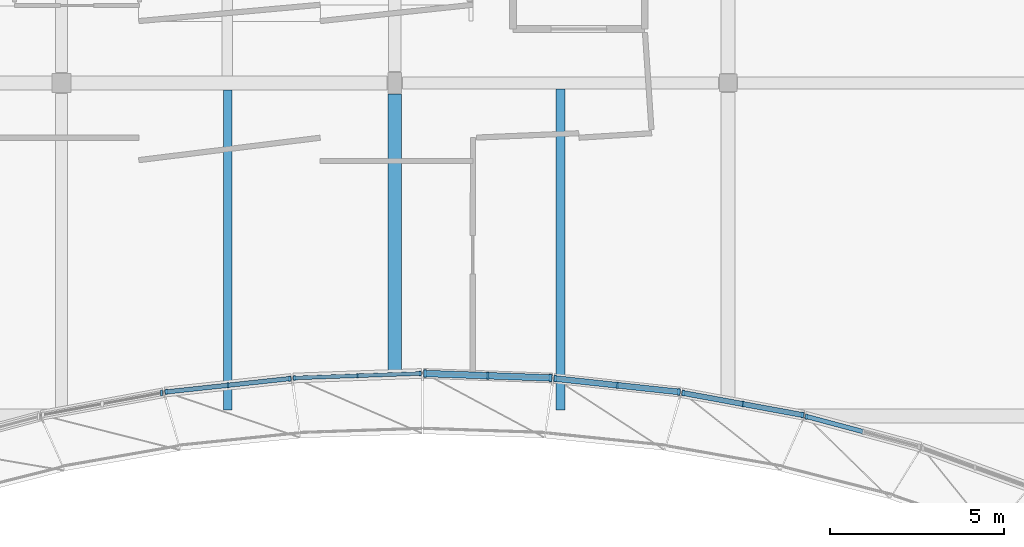
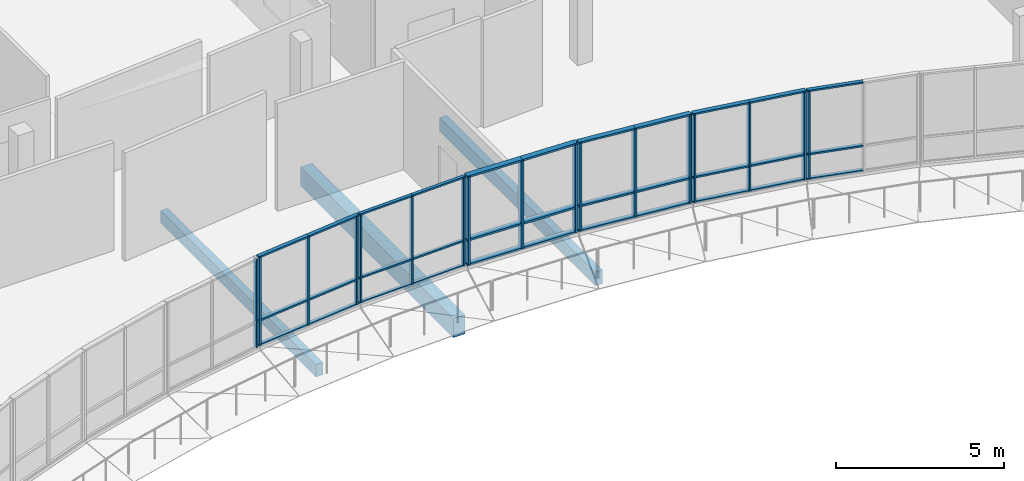
# One storey, part 23 of 84: 50 members, 3 beams, 7 elements without a shape of their own.
"""IFC4 building model written with IfcOpenShell, lengths in metres."""

import ifcopenshell
import ifcopenshell.guid

model = None  # the IFC model being written
_history = None  # IfcOwnerHistory: only IFC2X3 demands one
_inside = {}  # id of a spatial element -> (the spatial element, [elements in it])
_under = {}  # id of a project, library or spatial element -> (it, [spatial elements below it])
_declared = {}  # id of a project -> (the project, [libraries it declares])
_typed = {}  # id of a type object -> (the type object, [elements of that type])
_made_of = {}  # id of a material, layer set ... -> (it, [elements and type objects made of it])


def new_model(schema):
    """Start an empty IFC model of exactly this schema.

    Asked for "IFC4X3", IfcOpenShell would pick the latest addendum, in which some entities
    have other attributes; the version numbers below select the first issue.
    IFC2X3 requires an IfcOwnerHistory on every rooted entity: one is made here for all.
    """
    global model, _history
    if schema == "IFC4X3":
        model = ifcopenshell.file(schema_version=(4, 3, 0, 0))
    else:
        model = ifcopenshell.file(schema=schema)
    _inside.clear()
    _under.clear()
    _declared.clear()
    _typed.clear()
    _made_of.clear()
    _history = None
    if model.schema == "IFC2X3":
        org = make("IfcOrganization", Name="unknown")
        user = make(
            "IfcPersonAndOrganization",
            ThePerson=make("IfcPerson", FamilyName="unknown"),
            TheOrganization=org,
        )
        app = make(
            "IfcApplication",
            ApplicationDeveloper=org,
            Version="unknown",
            ApplicationFullName="unknown",
            ApplicationIdentifier="unknown",
        )
        _history = make(
            "IfcOwnerHistory",
            OwningUser=user,
            OwningApplication=app,
            ChangeAction="ADDED",
            CreationDate=0,
        )
    return model


def make(cls, **values):
    """One entity of the class cls with the attributes given. An attribute that is None is left unset."""
    return model.create_entity(
        cls, **{name: value for name, value in values.items() if value is not None}
    )


def rooted(cls, **values):
    """An entity with a GlobalId (a new one), such as an element, a storey or a relation."""
    return make(cls, GlobalId=ifcopenshell.guid.new(), OwnerHistory=_history, **values)


def si_unit(unit_type, name, prefix=None):
    """IfcSIUnit, for example si_unit("LENGTHUNIT", "METRE", prefix="MILLI")."""
    return make("IfcSIUnit", UnitType=unit_type, Prefix=prefix, Name=name)


def assignment(units):
    """IfcUnitAssignment: the units of a project."""
    return None if units is None else make("IfcUnitAssignment", Units=units)


def point(xyz):
    """IfcCartesianPoint."""
    return None if xyz is None else make("IfcCartesianPoint", Coordinates=xyz)


def direction(xyz):
    """IfcDirection."""
    return None if xyz is None else make("IfcDirection", DirectionRatios=xyz)


def frame(location, z_axis=None, x_axis=None):
    """IfcAxis2Placement3D, a coordinate frame: its origin and axes. An axis left out is left unset."""
    return make(
        "IfcAxis2Placement3D",
        Location=point(location),
        Axis=direction(z_axis),
        RefDirection=direction(x_axis),
    )


def frame_2d(location, x_axis=None):
    """IfcAxis2Placement2D, a coordinate frame in the plane: its origin and x axis."""
    return make(
        "IfcAxis2Placement2D", Location=point(location), RefDirection=direction(x_axis)
    )


def origin():
    """The frame at (0, 0, 0) with its axes left unset."""
    return frame((0.0, 0.0, 0.0))


def origin_2d():
    """The frame at (0, 0) in the plane with its x axis left unset."""
    return frame_2d((0.0, 0.0))


def place(relative_to, where):
    """IfcLocalPlacement: puts the frame where relative to a parent placement (None: the world)."""
    return make(
        "IfcLocalPlacement", PlacementRelTo=relative_to, RelativePlacement=where
    )


def context(
    kind, dimensions, precision=None, world=None, true_north=None, identifier=None
):
    """IfcGeometricRepresentationContext, for example the 3D "Model" context."""
    return make(
        "IfcGeometricRepresentationContext",
        ContextIdentifier=identifier,
        ContextType=kind,
        CoordinateSpaceDimension=dimensions,
        Precision=precision,
        WorldCoordinateSystem=world,
        TrueNorth=true_north,
    )


def subcontext(parent, identifier, kind, view, scale=None):
    """IfcGeometricRepresentationSubContext, for example "Body" below "Model"."""
    return make(
        "IfcGeometricRepresentationSubContext",
        ContextIdentifier=identifier,
        ContextType=kind,
        ParentContext=parent,
        TargetScale=scale,
        TargetView=view,
    )


def project(units=None, contexts=None):
    """IfcProject with its units and contexts."""
    return rooted(
        "IfcProject",
        Name="project",
        RepresentationContexts=contexts,
        UnitsInContext=assignment(units),
    )


def spatial(cls, under=None, at=None, **own):
    """A site, building, storey or space (cls), placed at a placement, below another one or the project."""
    s = rooted(cls, ObjectPlacement=at, **own)
    if under is not None:
        _under.setdefault(under.id(), (under, []))[1].append(s)
    return s


def profile(cls, at=None, kind="AREA", **sizes):
    """A parametric profile (cls). Its sizes go by their IFC names, for example OverallWidth=200.0."""
    return make(cls, ProfileType=kind, Position=at, **sizes)


def rectangle(**sizes):
    """IfcRectangleProfileDef."""
    return profile("IfcRectangleProfileDef", **sizes)


def extrude(swept, where, along, depth):
    """IfcExtrudedAreaSolid: the profile swept, set in the frame where, extruded along a direction by depth."""
    return make(
        "IfcExtrudedAreaSolid",
        SweptArea=swept,
        Position=where,
        ExtrudedDirection=direction(along),
        Depth=depth,
    )


def shape(context_of_items, identifier, shape_type, items):
    """IfcShapeRepresentation: the items that make up one representation, for example the "Body"."""
    return make(
        "IfcShapeRepresentation",
        ContextOfItems=context_of_items,
        RepresentationIdentifier=identifier,
        RepresentationType=shape_type,
        Items=items,
    )


def material(Name=None, Category=None):
    """IfcMaterial."""
    return make("IfcMaterial", Name=Name, Category=Category)


def material_profile(
    of_material, cross_section, Name=None, Category=None, Priority=None
):
    """IfcMaterialProfile: a cross section and its material."""
    return make(
        "IfcMaterialProfile",
        Name=Name,
        Material=of_material,
        Profile=cross_section,
        Priority=Priority,
        Category=Category,
    )


def profile_set(profiles, Name=None, composite=None):
    """IfcMaterialProfileSet."""
    return make(
        "IfcMaterialProfileSet",
        Name=Name,
        MaterialProfiles=profiles,
        CompositeProfile=composite,
    )


def made_of(thing, what):
    """Note that an element or type object is made of a material, layer set ...; save() writes the relation."""
    if what is not None:
        _made_of.setdefault(what.id(), (what, []))[1].append(thing)
    return thing


def type_object(cls, material=None, **own):
    """A type object (cls), such as IfcWallType, which elements share."""
    return made_of(rooted(cls, **own), material)


def element(
    cls,
    number,
    at=None,
    inside=None,
    cuts=None,
    type_object=None,
    material=None,
    context=None,
    identifier="Body",
    shape_type=None,
    held_by="IfcProductDefinitionShape",
    body=None,
    shapes=None,
    **own,
):
    """One element of the class cls, such as IfcWall. Its Tag is "e" and its number.

    at: its placement. inside: the storey or other place that contains it. cuts: it is an
    opening in that element (IfcRelVoidsElement). A single representation is given by context,
    identifier, shape_type and body (its items); several are given by shapes. held_by: the class
    of the entity that holds the representations. save() writes the other relations.
    """
    e = rooted(cls, Tag="e%d" % number, ObjectPlacement=at, **own)
    if body is not None:
        shapes = [shape(context, identifier, shape_type, body)]
    if shapes is not None:
        e.Representation = make(held_by, Representations=shapes)
    if inside is not None:
        _inside.setdefault(inside.id(), (inside, []))[1].append(e)
    if cuts is not None:
        rooted(
            "IfcRelVoidsElement", RelatingBuildingElement=cuts, RelatedOpeningElement=e
        )
    if type_object is not None:
        _typed.setdefault(type_object.id(), (type_object, []))[1].append(e)
    return made_of(e, material)


def aggregate(whole, parts):
    """IfcRelAggregates: a whole, such as a stair, and the parts it consists of."""
    return rooted("IfcRelAggregates", RelatingObject=whole, RelatedObjects=parts)


def save(model, path):
    """Write the relations noted so far, then the file.

    IfcRelAggregates (storeys below a building ...), IfcRelContainedInSpatialStructure (elements
    in a storey), IfcRelDefinesByType, IfcRelAssociatesMaterial and IfcRelDeclares: one each for
    every whole, place, type object, material and project.
    """
    for whole, parts in _under.values():
        aggregate(whole, parts)
    for where, things in _inside.values():
        rooted(
            "IfcRelContainedInSpatialStructure",
            RelatedElements=things,
            RelatingStructure=where,
        )
    for kind, things in _typed.values():
        rooted("IfcRelDefinesByType", RelatedObjects=things, RelatingType=kind)
    for what, things in _made_of.values():
        rooted("IfcRelAssociatesMaterial", RelatedObjects=things, RelatingMaterial=what)
    for by, libraries in _declared.values():
        rooted("IfcRelDeclares", RelatingContext=by, RelatedDefinitions=libraries)
    model.write(path)


model = new_model("IFC4")

# Units and contexts
model_context = context("Model", 3, precision=1e-05, world=origin(), true_north=direction((0.0, 1.0)))
body_context = subcontext(model_context, "Body", "Model", "MODEL_VIEW")
ifc_project = project(units=[si_unit("LENGTHUNIT", "METRE"), si_unit("AREAUNIT", "SQUARE_METRE"), si_unit("VOLUMEUNIT", "CUBIC_METRE"), si_unit("PLANEANGLEUNIT", "RADIAN"), si_unit("MASSUNIT", "GRAM", prefix="KILO")], contexts=[model_context])

# Site, building, storey
site_placement = place(None, origin())
site = spatial("IfcSite", under=ifc_project, at=site_placement, CompositionType="ELEMENT")
building_placement = place(site_placement, origin())
building = spatial("IfcBuilding", under=site, at=building_placement, Name="Mzevani Central Library", CompositionType="ELEMENT")
storey_placement = place(building_placement, frame((0.0, 0.0, 5.39990234375)))
storey = spatial("IfcBuildingStorey", under=building, at=storey_placement, Name="L01", CompositionType="ELEMENT", Elevation=5.39990234375)

# Beam
ifc_material_1 = material(Name="Concrete C35/45", Category="concrete")
ifc_material_profile_1 = material_profile(ifc_material_1, rectangle(XDim=0.39990234375, YDim=0.699951171875, at=origin_2d()), Name="RC B400x700")
ifc_profile_set_1 = profile_set([ifc_material_profile_1], Name="Concrete C35/45")
beam_type_1 = type_object("IfcBeamType", Name="Beam RC 400x700", PredefinedType="BEAM", material=ifc_profile_set_1)
beam_1_placement = place(storey_placement, frame((83.199951171875, 90.60009765625, -0.6298828125), z_axis=(0.0, 1.0, 0.0), x_axis=(-1.0, 0.0, 0.0)))
element("IfcBeam", 1, at=beam_1_placement, inside=storey, type_object=beam_type_1, Name="L01 V3 Frame Beam B-08 (507)", PredefinedType="BEAM", context=body_context, shape_type="SweptSolid", body=[
    extrude(rectangle(XDim=0.39990234375, YDim=0.699951171875, at=origin_2d()), origin(), (0.0, 0.0, 1.0), 9.074951171875),
])

# Curtain wall, members
ifc_material_2 = material(Name="Thermally broken aluminium and Low-E triple glazing", Category="aluminium")
curtain_wall_type_1 = type_object("IfcCurtainWallType", Name="Reading Hall Northlight Curtain Wall", PredefinedType="NOTDEFINED", material=ifc_material_2)
curtain_wall_1_placement = place(storey_placement, origin())
curtain_wall_1 = element("IfcCurtainWall", 2, at=curtain_wall_1_placement, inside=storey, type_object=curtain_wall_type_1, Name="L01 Elliptical Court Curtain Wall 13", PredefinedType="NOTDEFINED")
ifc_material_3 = material(Name="Thermally broken aluminium AW-6060", Category="aluminium")
ifc_material_profile_2 = material_profile(ifc_material_3, rectangle(XDim=0.06005859375, YDim=0.139892578125, at=origin_2d()), Name="ALU M60x140")
ifc_profile_set_2 = profile_set([ifc_material_profile_2], Name="Thermally broken aluminium AW-6060")
member_type_1 = type_object("IfcMemberType", Name="CW Mullion 60x140", PredefinedType="MULLION", material=ifc_profile_set_2)
member_1_placement = place(storey_placement, frame((83.923583984375, 91.62890625, 0.72021484375), z_axis=(0.0, 0.0, 1.0), x_axis=(1.0, 0.0, 0.0)))
member_1 = element("IfcMember", 3, at=member_1_placement, type_object=member_type_1, Name="L01 Elliptical Court Curtain Wall 13 Mullion 1", PredefinedType="MULLION", context=body_context, shape_type="SweptSolid", body=[
    extrude(rectangle(XDim=0.06005859375, YDim=0.139892578125, at=origin_2d()), origin(), (0.0, 0.0, 1.0), 3.199951171875),
])
member_2_placement = place(storey_placement, frame((82.1201171875, 91.564697265625, 0.72021484375), z_axis=(0.0, 0.0, 1.0), x_axis=(1.0, 0.0, 0.0)))
member_2 = element("IfcMember", 4, at=member_2_placement, type_object=member_type_1, Name="L01 Elliptical Court Curtain Wall 13 Mullion 2", PredefinedType="MULLION", context=body_context, shape_type="SweptSolid", body=[
    extrude(rectangle(XDim=0.06005859375, YDim=0.139892578125, at=origin_2d()), origin(), (0.0, 0.0, 1.0), 3.199951171875),
])
member_3_placement = place(storey_placement, frame((80.316650390625, 91.500732421875, 0.72021484375), z_axis=(0.0, 0.0, 1.0), x_axis=(1.0, 0.0, 0.0)))
member_3 = element("IfcMember", 5, at=member_3_placement, type_object=member_type_1, Name="L01 Elliptical Court Curtain Wall 13 Mullion 3", PredefinedType="MULLION", context=body_context, shape_type="SweptSolid", body=[
    extrude(rectangle(XDim=0.06005859375, YDim=0.139892578125, at=origin_2d()), origin(), (0.0, 0.0, 1.0), 3.199951171875),
])

# Curtain wall, member
curtain_wall_type_2 = type_object("IfcCurtainWallType", Name="Elliptical Court Unitised Curtain Wall", PredefinedType="NOTDEFINED", material=ifc_material_2)
curtain_wall_2_placement = place(storey_placement, origin())
curtain_wall_2 = element("IfcCurtainWall", 6, at=curtain_wall_2_placement, inside=storey, type_object=curtain_wall_type_2, Name="L01 Elliptical Court Curtain Wall 9", PredefinedType="NOTDEFINED")
ifc_material_profile_3 = material_profile(ifc_material_3, rectangle(XDim=0.06005859375, YDim=0.159912109375, at=origin_2d()), Name="ALU M60x160")
ifc_profile_set_3 = profile_set([ifc_material_profile_3], Name="Thermally broken aluminium AW-6060")
member_type_2 = type_object("IfcMemberType", Name="CW Mullion 60x160", PredefinedType="MULLION", material=ifc_profile_set_3)
member_4_placement = place(storey_placement, frame((95.064453125, 90.388916015625, 0.72021484375), z_axis=(0.0, 0.0, 1.0), x_axis=(1.0, 0.0, 0.0)))
member_4 = element("IfcMember", 7, at=member_4_placement, type_object=member_type_2, Name="L01 Elliptical Court Curtain Wall 9 Mullion 3", PredefinedType="MULLION", context=body_context, shape_type="SweptSolid", body=[
    extrude(rectangle(XDim=0.06005859375, YDim=0.159912109375, at=origin_2d()), origin(), (0.0, 0.0, 1.0), 3.199951171875),
])

# Curtain wall, members
curtain_wall_3_placement = place(storey_placement, origin())
curtain_wall_3 = element("IfcCurtainWall", 8, at=curtain_wall_3_placement, inside=storey, type_object=curtain_wall_type_2, Name="L01 Elliptical Court Curtain Wall 14", PredefinedType="NOTDEFINED")
member_5_placement = place(storey_placement, frame((80.16748046875, 91.481689453125, 0.72021484375), z_axis=(0.0, 0.0, 1.0), x_axis=(1.0, 0.0, 0.0)))
member_5 = element("IfcMember", 9, at=member_5_placement, type_object=member_type_2, Name="L01 Elliptical Court Curtain Wall 14 Mullion 1", PredefinedType="MULLION", context=body_context, shape_type="SweptSolid", body=[
    extrude(rectangle(XDim=0.06005859375, YDim=0.159912109375, at=origin_2d()), origin(), (0.0, 0.0, 1.0), 3.199951171875),
])
member_6_placement = place(storey_placement, frame((78.3955078125, 91.290283203125, 0.72021484375), z_axis=(0.0, 0.0, 1.0), x_axis=(1.0, 0.0, 0.0)))
member_6 = element("IfcMember", 10, at=member_6_placement, type_object=member_type_2, Name="L01 Elliptical Court Curtain Wall 14 Mullion 2", PredefinedType="MULLION", context=body_context, shape_type="SweptSolid", body=[
    extrude(rectangle(XDim=0.06005859375, YDim=0.159912109375, at=origin_2d()), origin(), (0.0, 0.0, 1.0), 3.199951171875),
])
member_7_placement = place(storey_placement, frame((76.62353515625, 91.09912109375, 0.72021484375), z_axis=(0.0, 0.0, 1.0), x_axis=(1.0, 0.0, 0.0)))
member_7 = element("IfcMember", 11, at=member_7_placement, type_object=member_type_2, Name="L01 Elliptical Court Curtain Wall 14 Mullion 3", PredefinedType="MULLION", context=body_context, shape_type="SweptSolid", body=[
    extrude(rectangle(XDim=0.06005859375, YDim=0.159912109375, at=origin_2d()), origin(), (0.0, 0.0, 1.0), 3.199951171875),
])

curtain_wall_4_placement = place(storey_placement, origin())
curtain_wall_4 = element("IfcCurtainWall", 12, at=curtain_wall_4_placement, inside=storey, type_object=curtain_wall_type_1, Name="L01 Elliptical Court Curtain Wall 10", PredefinedType="NOTDEFINED")
ifc_material_profile_4 = material_profile(ifc_material_3, rectangle(XDim=0.06005859375, YDim=0.179931640625, at=origin_2d()), Name="ALU M60x180")
ifc_profile_set_4 = profile_set([ifc_material_profile_4], Name="Thermally broken aluminium AW-6060")
member_type_3 = type_object("IfcMemberType", Name="CW Mullion 60x180", PredefinedType="MULLION", material=ifc_profile_set_4)
member_8_placement = place(storey_placement, frame((94.935791015625, 90.4345703125, 0.72021484375), z_axis=(0.0, 0.0, 1.0), x_axis=(1.0, 0.0, 0.0)))
member_8 = element("IfcMember", 13, at=member_8_placement, type_object=member_type_3, Name="L01 Elliptical Court Curtain Wall 10 Mullion 1", PredefinedType="MULLION", context=body_context, shape_type="SweptSolid", body=[
    extrude(rectangle(XDim=0.06005859375, YDim=0.179931640625, at=origin_2d()), origin(), (0.0, 0.0, 1.0), 3.199951171875),
])
member_9_placement = place(storey_placement, frame((93.22607421875, 90.749755859375, 0.72021484375), z_axis=(0.0, 0.0, 1.0), x_axis=(1.0, 0.0, 0.0)))
member_9 = element("IfcMember", 14, at=member_9_placement, type_object=member_type_3, Name="L01 Elliptical Court Curtain Wall 10 Mullion 2", PredefinedType="MULLION", context=body_context, shape_type="SweptSolid", body=[
    extrude(rectangle(XDim=0.06005859375, YDim=0.179931640625, at=origin_2d()), origin(), (0.0, 0.0, 1.0), 3.199951171875),
])
member_10_placement = place(storey_placement, frame((91.516357421875, 91.064697265625, 0.72021484375), z_axis=(0.0, 0.0, 1.0), x_axis=(1.0, 0.0, 0.0)))
member_10 = element("IfcMember", 15, at=member_10_placement, type_object=member_type_3, Name="L01 Elliptical Court Curtain Wall 10 Mullion 3", PredefinedType="MULLION", context=body_context, shape_type="SweptSolid", body=[
    extrude(rectangle(XDim=0.06005859375, YDim=0.179931640625, at=origin_2d()), origin(), (0.0, 0.0, 1.0), 3.199951171875),
])

# Curtain wall, member
curtain_wall_5_placement = place(storey_placement, origin())
curtain_wall_5 = element("IfcCurtainWall", 16, at=curtain_wall_5_placement, inside=storey, type_object=curtain_wall_type_2, Name="L01 Elliptical Court Curtain Wall 15", PredefinedType="NOTDEFINED")
member_11_placement = place(storey_placement, frame((76.483642578125, 91.064697265625, 0.72021484375), z_axis=(0.0, 0.0, 1.0), x_axis=(1.0, 0.0, 0.0)))
member_11 = element("IfcMember", 17, at=member_11_placement, type_object=member_type_3, Name="L01 Elliptical Court Curtain Wall 15 Mullion 1", PredefinedType="MULLION", context=body_context, shape_type="SweptSolid", body=[
    extrude(rectangle(XDim=0.06005859375, YDim=0.179931640625, at=origin_2d()), origin(), (0.0, 0.0, 1.0), 3.199951171875),
])
aggregate(curtain_wall_5, [member_11])

# Curtain wall, members
curtain_wall_6_placement = place(storey_placement, origin())
curtain_wall_6 = element("IfcCurtainWall", 18, at=curtain_wall_6_placement, inside=storey, type_object=curtain_wall_type_2, Name="L01 Elliptical Court Curtain Wall 11", PredefinedType="NOTDEFINED")
ifc_material_profile_5 = material_profile(ifc_material_3, rectangle(XDim=0.06494140625, YDim=0.199951171875, at=origin_2d()), Name="ALU M65x200")
ifc_profile_set_5 = profile_set([ifc_material_profile_5], Name="Thermally broken aluminium AW-6060")
member_type_4 = type_object("IfcMemberType", Name="CW Mullion 65x200", PredefinedType="MULLION", material=ifc_profile_set_5)
member_12_placement = place(storey_placement, frame((91.37646484375, 91.09912109375, 0.72021484375), z_axis=(0.0, 0.0, 1.0), x_axis=(1.0, 0.0, 0.0)))
member_12 = element("IfcMember", 19, at=member_12_placement, type_object=member_type_4, Name="L01 Elliptical Court Curtain Wall 11 Mullion 1", PredefinedType="MULLION", context=body_context, shape_type="SweptSolid", body=[
    extrude(rectangle(XDim=0.06494140625, YDim=0.199951171875, at=origin_2d()), origin(), (0.0, 0.0, 1.0), 3.199951171875),
])
member_13_placement = place(storey_placement, frame((89.6044921875, 91.290283203125, 0.72021484375), z_axis=(0.0, 0.0, 1.0), x_axis=(1.0, 0.0, 0.0)))
member_13 = element("IfcMember", 20, at=member_13_placement, type_object=member_type_4, Name="L01 Elliptical Court Curtain Wall 11 Mullion 2", PredefinedType="MULLION", context=body_context, shape_type="SweptSolid", body=[
    extrude(rectangle(XDim=0.06494140625, YDim=0.199951171875, at=origin_2d()), origin(), (0.0, 0.0, 1.0), 3.199951171875),
])
member_14_placement = place(storey_placement, frame((87.83251953125, 91.481689453125, 0.72021484375), z_axis=(0.0, 0.0, 1.0), x_axis=(1.0, 0.0, 0.0)))
member_14 = element("IfcMember", 21, at=member_14_placement, type_object=member_type_4, Name="L01 Elliptical Court Curtain Wall 11 Mullion 3", PredefinedType="MULLION", context=body_context, shape_type="SweptSolid", body=[
    extrude(rectangle(XDim=0.06494140625, YDim=0.199951171875, at=origin_2d()), origin(), (0.0, 0.0, 1.0), 3.199951171875),
])

curtain_wall_7_placement = place(storey_placement, origin())
curtain_wall_7 = element("IfcCurtainWall", 22, at=curtain_wall_7_placement, inside=storey, type_object=curtain_wall_type_2, Name="L01 Elliptical Court Curtain Wall 12", PredefinedType="NOTDEFINED")
ifc_material_profile_6 = material_profile(ifc_material_3, rectangle(XDim=0.070068359375, YDim=0.219970703125, at=origin_2d()), Name="ALU M70x220")
ifc_profile_set_6 = profile_set([ifc_material_profile_6], Name="Thermally broken aluminium AW-6060")
member_type_5 = type_object("IfcMemberType", Name="CW Mullion 70x220", PredefinedType="MULLION", material=ifc_profile_set_6)
member_15_placement = place(storey_placement, frame((87.683349609375, 91.500732421875, 0.72021484375), z_axis=(0.0, 0.0, 1.0), x_axis=(1.0, 0.0, 0.0)))
member_15 = element("IfcMember", 23, at=member_15_placement, type_object=member_type_5, Name="L01 Elliptical Court Curtain Wall 12 Mullion 1", PredefinedType="MULLION", context=body_context, shape_type="SweptSolid", body=[
    extrude(rectangle(XDim=0.070068359375, YDim=0.219970703125, at=origin_2d()), origin(), (0.0, 0.0, 1.0), 3.199951171875),
])
member_16_placement = place(storey_placement, frame((85.8798828125, 91.564697265625, 0.72021484375), z_axis=(0.0, 0.0, 1.0), x_axis=(1.0, 0.0, 0.0)))
member_16 = element("IfcMember", 24, at=member_16_placement, type_object=member_type_5, Name="L01 Elliptical Court Curtain Wall 12 Mullion 2", PredefinedType="MULLION", context=body_context, shape_type="SweptSolid", body=[
    extrude(rectangle(XDim=0.070068359375, YDim=0.219970703125, at=origin_2d()), origin(), (0.0, 0.0, 1.0), 3.199951171875),
])
member_17_placement = place(storey_placement, frame((84.076416015625, 91.62890625, 0.72021484375), z_axis=(0.0, 0.0, 1.0), x_axis=(1.0, 0.0, 0.0)))
member_17 = element("IfcMember", 25, at=member_17_placement, type_object=member_type_5, Name="L01 Elliptical Court Curtain Wall 12 Mullion 3", PredefinedType="MULLION", context=body_context, shape_type="SweptSolid", body=[
    extrude(rectangle(XDim=0.070068359375, YDim=0.219970703125, at=origin_2d()), origin(), (0.0, 0.0, 1.0), 3.199951171875),
])

# Member
ifc_material_profile_7 = material_profile(ifc_material_3, rectangle(XDim=0.110107421875, YDim=0.06005859375, at=origin_2d()), Name="ALU T60x110")
ifc_profile_set_7 = profile_set([ifc_material_profile_7], Name="Thermally broken aluminium AW-6060")
member_type_6 = type_object("IfcMemberType", Name="CW Transom 60x110", PredefinedType="USERDEFINED", material=ifc_profile_set_7)
member_18_placement = place(storey_placement, frame((83.9736328125, 91.630615234375, 0.72021484375), z_axis=(-0.999368209041, -0.035541282461, 0.0), x_axis=(0.035541282461, -0.999368209041, 0.0)))
member_18 = element("IfcMember", 26, at=member_18_placement, type_object=member_type_6, Name="L01 Elliptical Court Curtain Wall 13 Transom 1", ObjectType="TRANSOM", PredefinedType="USERDEFINED", context=body_context, shape_type="SweptSolid", body=[
    extrude(rectangle(XDim=0.110107421875, YDim=0.06005859375, at=origin_2d()), origin(), (0.0, 0.0, 1.0), 1.854736328125),
])

member_19_placement = place(storey_placement, frame((83.9736328125, 91.630615234375, 1.6201171875), z_axis=(-0.999368209041, -0.035541282461, 0.0), x_axis=(0.035541282461, -0.999368209041, 0.0)))
member_19 = element("IfcMember", 27, at=member_19_placement, type_object=member_type_6, Name="L01 Elliptical Court Curtain Wall 13 Transom 2", ObjectType="TRANSOM", PredefinedType="USERDEFINED", context=body_context, shape_type="SweptSolid", body=[
    extrude(rectangle(XDim=0.110107421875, YDim=0.06005859375, at=origin_2d()), origin(), (0.0, 0.0, 1.0), 1.854736328125),
])

member_20_placement = place(storey_placement, frame((83.9736328125, 91.630615234375, 3.920166015625), z_axis=(-0.999368209041, -0.035541282461, 0.0), x_axis=(0.035541282461, -0.999368209041, 0.0)))
member_20 = element("IfcMember", 28, at=member_20_placement, type_object=member_type_6, Name="L01 Elliptical Court Curtain Wall 13 Transom 3", ObjectType="TRANSOM", PredefinedType="USERDEFINED", context=body_context, shape_type="SweptSolid", body=[
    extrude(rectangle(XDim=0.110107421875, YDim=0.06005859375, at=origin_2d()), origin(), (0.0, 0.0, 1.0), 1.854736328125),
])

member_21_placement = place(storey_placement, frame((82.1201171875, 91.564697265625, 0.72021484375), z_axis=(-0.999368209041, -0.035541282461, 0.0), x_axis=(0.035541282461, -0.999368209041, 0.0)))
member_21 = element("IfcMember", 29, at=member_21_placement, type_object=member_type_6, Name="L01 Elliptical Court Curtain Wall 13 Transom 4", ObjectType="TRANSOM", PredefinedType="USERDEFINED", context=body_context, shape_type="SweptSolid", body=[
    extrude(rectangle(XDim=0.110107421875, YDim=0.06005859375, at=origin_2d()), origin(), (0.0, 0.0, 1.0), 1.854736328125),
])

member_22_placement = place(storey_placement, frame((82.1201171875, 91.564697265625, 1.6201171875), z_axis=(-0.999368209041, -0.035541282461, 0.0), x_axis=(0.035541282461, -0.999368209041, 0.0)))
member_22 = element("IfcMember", 30, at=member_22_placement, type_object=member_type_6, Name="L01 Elliptical Court Curtain Wall 13 Transom 5", ObjectType="TRANSOM", PredefinedType="USERDEFINED", context=body_context, shape_type="SweptSolid", body=[
    extrude(rectangle(XDim=0.110107421875, YDim=0.06005859375, at=origin_2d()), origin(), (0.0, 0.0, 1.0), 1.854736328125),
])

member_23_placement = place(storey_placement, frame((82.1201171875, 91.564697265625, 3.920166015625), z_axis=(-0.999368209041, -0.035541282461, 0.0), x_axis=(0.035541282461, -0.999368209041, 0.0)))
member_23 = element("IfcMember", 31, at=member_23_placement, type_object=member_type_6, Name="L01 Elliptical Court Curtain Wall 13 Transom 6", ObjectType="TRANSOM", PredefinedType="USERDEFINED", context=body_context, shape_type="SweptSolid", body=[
    extrude(rectangle(XDim=0.110107421875, YDim=0.06005859375, at=origin_2d()), origin(), (0.0, 0.0, 1.0), 1.854736328125),
])

aggregate(curtain_wall_1, [member_1, member_2, member_3, member_18, member_19, member_20, member_21, member_22, member_23])

ifc_material_profile_8 = material_profile(ifc_material_3, rectangle(XDim=0.1298828125, YDim=0.06005859375, at=origin_2d()), Name="ALU T60x130")
ifc_profile_set_8 = profile_set([ifc_material_profile_8], Name="Thermally broken aluminium AW-6060")
member_type_7 = type_object("IfcMemberType", Name="CW Transom 60x130", PredefinedType="USERDEFINED", material=ifc_profile_set_8)
member_24_placement = place(storey_placement, frame((96.68212890625, 89.9560546875, 0.72021484375), z_axis=(-0.966013725651, 0.258490777116, 0.0), x_axis=(-0.258490777116, -0.966013725651, 0.0)))
member_24 = element("IfcMember", 32, at=member_24_placement, type_object=member_type_7, Name="L01 Elliptical Court Curtain Wall 9 Transom 4", ObjectType="TRANSOM", PredefinedType="USERDEFINED", context=body_context, shape_type="SweptSolid", body=[
    extrude(rectangle(XDim=0.1298828125, YDim=0.06005859375, at=origin_2d()), origin(), (0.0, 0.0, 1.0), 1.724609375),
])

member_25_placement = place(storey_placement, frame((96.68212890625, 89.9560546875, 1.6201171875), z_axis=(-0.966013725651, 0.258490777116, 0.0), x_axis=(-0.258490777116, -0.966013725651, 0.0)))
member_25 = element("IfcMember", 33, at=member_25_placement, type_object=member_type_7, Name="L01 Elliptical Court Curtain Wall 9 Transom 5", ObjectType="TRANSOM", PredefinedType="USERDEFINED", context=body_context, shape_type="SweptSolid", body=[
    extrude(rectangle(XDim=0.1298828125, YDim=0.06005859375, at=origin_2d()), origin(), (0.0, 0.0, 1.0), 1.724609375),
])

member_26_placement = place(storey_placement, frame((96.68212890625, 89.9560546875, 3.920166015625), z_axis=(-0.966013725651, 0.258490777116, 0.0), x_axis=(-0.258490777116, -0.966013725651, 0.0)))
member_26 = element("IfcMember", 34, at=member_26_placement, type_object=member_type_7, Name="L01 Elliptical Court Curtain Wall 9 Transom 6", ObjectType="TRANSOM", PredefinedType="USERDEFINED", context=body_context, shape_type="SweptSolid", body=[
    extrude(rectangle(XDim=0.1298828125, YDim=0.06005859375, at=origin_2d()), origin(), (0.0, 0.0, 1.0), 1.724609375),
])

aggregate(curtain_wall_2, [member_4, member_24, member_25, member_26])

member_27_placement = place(storey_placement, frame((80.21728515625, 91.487060546875, 0.72021484375), z_axis=(-0.994217048084, -0.107389297877, 0.0), x_axis=(0.107389297877, -0.994217048084, 0.0)))
member_27 = element("IfcMember", 35, at=member_27_placement, type_object=member_type_7, Name="L01 Elliptical Court Curtain Wall 14 Transom 1", ObjectType="TRANSOM", PredefinedType="USERDEFINED", context=body_context, shape_type="SweptSolid", body=[
    extrude(rectangle(XDim=0.1298828125, YDim=0.06005859375, at=origin_2d()), origin(), (0.0, 0.0, 1.0), 1.832275390625),
])

member_28_placement = place(storey_placement, frame((80.21728515625, 91.487060546875, 1.6201171875), z_axis=(-0.994217048084, -0.107389297877, 0.0), x_axis=(0.107389297877, -0.994217048084, 0.0)))
member_28 = element("IfcMember", 36, at=member_28_placement, type_object=member_type_7, Name="L01 Elliptical Court Curtain Wall 14 Transom 2", ObjectType="TRANSOM", PredefinedType="USERDEFINED", context=body_context, shape_type="SweptSolid", body=[
    extrude(rectangle(XDim=0.1298828125, YDim=0.06005859375, at=origin_2d()), origin(), (0.0, 0.0, 1.0), 1.832275390625),
])

member_29_placement = place(storey_placement, frame((80.21728515625, 91.487060546875, 3.920166015625), z_axis=(-0.994217048084, -0.107389297877, 0.0), x_axis=(0.107389297877, -0.994217048084, 0.0)))
member_29 = element("IfcMember", 37, at=member_29_placement, type_object=member_type_7, Name="L01 Elliptical Court Curtain Wall 14 Transom 3", ObjectType="TRANSOM", PredefinedType="USERDEFINED", context=body_context, shape_type="SweptSolid", body=[
    extrude(rectangle(XDim=0.1298828125, YDim=0.06005859375, at=origin_2d()), origin(), (0.0, 0.0, 1.0), 1.832275390625),
])

member_30_placement = place(storey_placement, frame((78.3955078125, 91.290283203125, 0.72021484375), z_axis=(-0.994231265085, -0.107257594263, 0.0), x_axis=(0.107257594263, -0.994231265085, 0.0)))
member_30 = element("IfcMember", 38, at=member_30_placement, type_object=member_type_7, Name="L01 Elliptical Court Curtain Wall 14 Transom 4", ObjectType="TRANSOM", PredefinedType="USERDEFINED", context=body_context, shape_type="SweptSolid", body=[
    extrude(rectangle(XDim=0.1298828125, YDim=0.06005859375, at=origin_2d()), origin(), (0.0, 0.0, 1.0), 1.832275390625),
])

member_31_placement = place(storey_placement, frame((78.3955078125, 91.290283203125, 1.6201171875), z_axis=(-0.994231265085, -0.107257594263, 0.0), x_axis=(0.107257594263, -0.994231265085, 0.0)))
member_31 = element("IfcMember", 39, at=member_31_placement, type_object=member_type_7, Name="L01 Elliptical Court Curtain Wall 14 Transom 5", ObjectType="TRANSOM", PredefinedType="USERDEFINED", context=body_context, shape_type="SweptSolid", body=[
    extrude(rectangle(XDim=0.1298828125, YDim=0.06005859375, at=origin_2d()), origin(), (0.0, 0.0, 1.0), 1.832275390625),
])

member_32_placement = place(storey_placement, frame((78.3955078125, 91.290283203125, 3.920166015625), z_axis=(-0.994231265085, -0.107257594263, 0.0), x_axis=(0.107257594263, -0.994231265085, 0.0)))
member_32 = element("IfcMember", 40, at=member_32_placement, type_object=member_type_7, Name="L01 Elliptical Court Curtain Wall 14 Transom 6", ObjectType="TRANSOM", PredefinedType="USERDEFINED", context=body_context, shape_type="SweptSolid", body=[
    extrude(rectangle(XDim=0.1298828125, YDim=0.06005859375, at=origin_2d()), origin(), (0.0, 0.0, 1.0), 1.832275390625),
])

aggregate(curtain_wall_3, [member_5, member_6, member_7, member_27, member_28, member_29, member_30, member_31, member_32])

ifc_material_profile_9 = material_profile(ifc_material_3, rectangle(XDim=0.14990234375, YDim=0.06005859375, at=origin_2d()), Name="ALU T60x150")
ifc_profile_set_9 = profile_set([ifc_material_profile_9], Name="Thermally broken aluminium AW-6060")
member_type_8 = type_object("IfcMemberType", Name="CW Transom 60x150", PredefinedType="USERDEFINED", material=ifc_profile_set_9)
member_33_placement = place(storey_placement, frame((94.98486328125, 90.425537109375, 0.72021484375), z_axis=(-0.983430139146, 0.181287510381, 0.0), x_axis=(-0.181287510381, -0.983430139146, 0.0)))
member_33 = element("IfcMember", 41, at=member_33_placement, type_object=member_type_8, Name="L01 Elliptical Court Curtain Wall 10 Transom 1", ObjectType="TRANSOM", PredefinedType="USERDEFINED", context=body_context, shape_type="SweptSolid", body=[
    extrude(rectangle(XDim=0.14990234375, YDim=0.06005859375, at=origin_2d()), origin(), (0.0, 0.0, 1.0), 1.788330078125),
])

member_34_placement = place(storey_placement, frame((94.98486328125, 90.425537109375, 1.6201171875), z_axis=(-0.983430139146, 0.181287510381, 0.0), x_axis=(-0.181287510381, -0.983430139146, 0.0)))
member_34 = element("IfcMember", 42, at=member_34_placement, type_object=member_type_8, Name="L01 Elliptical Court Curtain Wall 10 Transom 2", ObjectType="TRANSOM", PredefinedType="USERDEFINED", context=body_context, shape_type="SweptSolid", body=[
    extrude(rectangle(XDim=0.14990234375, YDim=0.06005859375, at=origin_2d()), origin(), (0.0, 0.0, 1.0), 1.788330078125),
])

member_35_placement = place(storey_placement, frame((94.98486328125, 90.425537109375, 3.920166015625), z_axis=(-0.983430139146, 0.181287510381, 0.0), x_axis=(-0.181287510381, -0.983430139146, 0.0)))
member_35 = element("IfcMember", 43, at=member_35_placement, type_object=member_type_8, Name="L01 Elliptical Court Curtain Wall 10 Transom 3", ObjectType="TRANSOM", PredefinedType="USERDEFINED", context=body_context, shape_type="SweptSolid", body=[
    extrude(rectangle(XDim=0.14990234375, YDim=0.06005859375, at=origin_2d()), origin(), (0.0, 0.0, 1.0), 1.788330078125),
])

member_36_placement = place(storey_placement, frame((93.22607421875, 90.749755859375, 0.72021484375), z_axis=(-0.983458947834, 0.181131162217, 0.0), x_axis=(-0.181131162217, -0.983458947834, 0.0)))
member_36 = element("IfcMember", 44, at=member_36_placement, type_object=member_type_8, Name="L01 Elliptical Court Curtain Wall 10 Transom 4", ObjectType="TRANSOM", PredefinedType="USERDEFINED", context=body_context, shape_type="SweptSolid", body=[
    extrude(rectangle(XDim=0.14990234375, YDim=0.06005859375, at=origin_2d()), origin(), (0.0, 0.0, 1.0), 1.78857421875),
])

member_37_placement = place(storey_placement, frame((93.22607421875, 90.749755859375, 1.6201171875), z_axis=(-0.983458947834, 0.181131162217, 0.0), x_axis=(-0.181131162217, -0.983458947834, 0.0)))
member_37 = element("IfcMember", 45, at=member_37_placement, type_object=member_type_8, Name="L01 Elliptical Court Curtain Wall 10 Transom 5", ObjectType="TRANSOM", PredefinedType="USERDEFINED", context=body_context, shape_type="SweptSolid", body=[
    extrude(rectangle(XDim=0.14990234375, YDim=0.06005859375, at=origin_2d()), origin(), (0.0, 0.0, 1.0), 1.78857421875),
])

member_38_placement = place(storey_placement, frame((93.22607421875, 90.749755859375, 3.920166015625), z_axis=(-0.983458947834, 0.181131162217, 0.0), x_axis=(-0.181131162217, -0.983458947834, 0.0)))
member_38 = element("IfcMember", 46, at=member_38_placement, type_object=member_type_8, Name="L01 Elliptical Court Curtain Wall 10 Transom 6", ObjectType="TRANSOM", PredefinedType="USERDEFINED", context=body_context, shape_type="SweptSolid", body=[
    extrude(rectangle(XDim=0.14990234375, YDim=0.06005859375, at=origin_2d()), origin(), (0.0, 0.0, 1.0), 1.78857421875),
])

aggregate(curtain_wall_4, [member_8, member_9, member_10, member_33, member_34, member_35, member_36, member_37, member_38])

ifc_material_profile_10 = material_profile(ifc_material_3, rectangle(XDim=0.169921875, YDim=0.06494140625, at=origin_2d()), Name="ALU T65x170")
ifc_profile_set_10 = profile_set([ifc_material_profile_10], Name="Thermally broken aluminium AW-6060")
member_type_9 = type_object("IfcMemberType", Name="CW Transom 65x170", PredefinedType="USERDEFINED", material=ifc_profile_set_10)
member_39_placement = place(storey_placement, frame((91.42626953125, 91.09375, 0.72021484375), z_axis=(-0.994231265085, 0.107257594263, 0.0), x_axis=(-0.107257594263, -0.994231265085, 0.0)))
member_39 = element("IfcMember", 47, at=member_39_placement, type_object=member_type_9, Name="L01 Elliptical Court Curtain Wall 11 Transom 1", ObjectType="TRANSOM", PredefinedType="USERDEFINED", context=body_context, shape_type="SweptSolid", body=[
    extrude(rectangle(XDim=0.169921875, YDim=0.06494140625, at=origin_2d()), origin(), (0.0, 0.0, 1.0), 1.832275390625),
])

member_40_placement = place(storey_placement, frame((91.42626953125, 91.09375, 1.6201171875), z_axis=(-0.994231265085, 0.107257594263, 0.0), x_axis=(-0.107257594263, -0.994231265085, 0.0)))
member_40 = element("IfcMember", 48, at=member_40_placement, type_object=member_type_9, Name="L01 Elliptical Court Curtain Wall 11 Transom 2", ObjectType="TRANSOM", PredefinedType="USERDEFINED", context=body_context, shape_type="SweptSolid", body=[
    extrude(rectangle(XDim=0.169921875, YDim=0.06494140625, at=origin_2d()), origin(), (0.0, 0.0, 1.0), 1.832275390625),
])

member_41_placement = place(storey_placement, frame((91.42626953125, 91.09375, 3.920166015625), z_axis=(-0.994231265085, 0.107257594263, 0.0), x_axis=(-0.107257594263, -0.994231265085, 0.0)))
member_41 = element("IfcMember", 49, at=member_41_placement, type_object=member_type_9, Name="L01 Elliptical Court Curtain Wall 11 Transom 3", ObjectType="TRANSOM", PredefinedType="USERDEFINED", context=body_context, shape_type="SweptSolid", body=[
    extrude(rectangle(XDim=0.169921875, YDim=0.06494140625, at=origin_2d()), origin(), (0.0, 0.0, 1.0), 1.832275390625),
])

member_42_placement = place(storey_placement, frame((89.6044921875, 91.290283203125, 0.72021484375), z_axis=(-0.994217048084, 0.107389297877, 0.0), x_axis=(-0.107389297877, -0.994217048084, 0.0)))
member_42 = element("IfcMember", 50, at=member_42_placement, type_object=member_type_9, Name="L01 Elliptical Court Curtain Wall 11 Transom 4", ObjectType="TRANSOM", PredefinedType="USERDEFINED", context=body_context, shape_type="SweptSolid", body=[
    extrude(rectangle(XDim=0.169921875, YDim=0.06494140625, at=origin_2d()), origin(), (0.0, 0.0, 1.0), 1.832275390625),
])

member_43_placement = place(storey_placement, frame((89.6044921875, 91.290283203125, 1.6201171875), z_axis=(-0.994217048084, 0.107389297877, 0.0), x_axis=(-0.107389297877, -0.994217048084, 0.0)))
member_43 = element("IfcMember", 51, at=member_43_placement, type_object=member_type_9, Name="L01 Elliptical Court Curtain Wall 11 Transom 5", ObjectType="TRANSOM", PredefinedType="USERDEFINED", context=body_context, shape_type="SweptSolid", body=[
    extrude(rectangle(XDim=0.169921875, YDim=0.06494140625, at=origin_2d()), origin(), (0.0, 0.0, 1.0), 1.832275390625),
])

member_44_placement = place(storey_placement, frame((89.6044921875, 91.290283203125, 3.920166015625), z_axis=(-0.994217048084, 0.107389297877, 0.0), x_axis=(-0.107389297877, -0.994217048084, 0.0)))
member_44 = element("IfcMember", 52, at=member_44_placement, type_object=member_type_9, Name="L01 Elliptical Court Curtain Wall 11 Transom 6", ObjectType="TRANSOM", PredefinedType="USERDEFINED", context=body_context, shape_type="SweptSolid", body=[
    extrude(rectangle(XDim=0.169921875, YDim=0.06494140625, at=origin_2d()), origin(), (0.0, 0.0, 1.0), 1.832275390625),
])

aggregate(curtain_wall_6, [member_12, member_13, member_14, member_39, member_40, member_41, member_42, member_43, member_44])

ifc_material_profile_11 = material_profile(ifc_material_3, rectangle(XDim=0.18994140625, YDim=0.070068359375, at=origin_2d()), Name="ALU T70x190")
ifc_profile_set_11 = profile_set([ifc_material_profile_11], Name="Thermally broken aluminium AW-6060")
member_type_10 = type_object("IfcMemberType", Name="CW Transom 70x190", PredefinedType="USERDEFINED", material=ifc_profile_set_11)
member_45_placement = place(storey_placement, frame((87.7333984375, 91.498779296875, 0.72021484375), z_axis=(-0.999368209041, 0.035541282461, 0.0), x_axis=(-0.035541282461, -0.999368209041, 0.0)))
member_45 = element("IfcMember", 53, at=member_45_placement, type_object=member_type_10, Name="L01 Elliptical Court Curtain Wall 12 Transom 1", ObjectType="TRANSOM", PredefinedType="USERDEFINED", context=body_context, shape_type="SweptSolid", body=[
    extrude(rectangle(XDim=0.18994140625, YDim=0.070068359375, at=origin_2d()), origin(), (0.0, 0.0, 1.0), 1.854736328125),
])

member_46_placement = place(storey_placement, frame((87.7333984375, 91.498779296875, 1.6201171875), z_axis=(-0.999368209041, 0.035541282461, 0.0), x_axis=(-0.035541282461, -0.999368209041, 0.0)))
member_46 = element("IfcMember", 54, at=member_46_placement, type_object=member_type_10, Name="L01 Elliptical Court Curtain Wall 12 Transom 2", ObjectType="TRANSOM", PredefinedType="USERDEFINED", context=body_context, shape_type="SweptSolid", body=[
    extrude(rectangle(XDim=0.18994140625, YDim=0.070068359375, at=origin_2d()), origin(), (0.0, 0.0, 1.0), 1.854736328125),
])

member_47_placement = place(storey_placement, frame((87.7333984375, 91.498779296875, 3.920166015625), z_axis=(-0.999368209041, 0.035541282461, 0.0), x_axis=(-0.035541282461, -0.999368209041, 0.0)))
member_47 = element("IfcMember", 55, at=member_47_placement, type_object=member_type_10, Name="L01 Elliptical Court Curtain Wall 12 Transom 3", ObjectType="TRANSOM", PredefinedType="USERDEFINED", context=body_context, shape_type="SweptSolid", body=[
    extrude(rectangle(XDim=0.18994140625, YDim=0.070068359375, at=origin_2d()), origin(), (0.0, 0.0, 1.0), 1.854736328125),
])

member_48_placement = place(storey_placement, frame((85.8798828125, 91.564697265625, 0.72021484375), z_axis=(-0.999368209041, 0.035541282461, 0.0), x_axis=(-0.035541282461, -0.999368209041, 0.0)))
member_48 = element("IfcMember", 56, at=member_48_placement, type_object=member_type_10, Name="L01 Elliptical Court Curtain Wall 12 Transom 4", ObjectType="TRANSOM", PredefinedType="USERDEFINED", context=body_context, shape_type="SweptSolid", body=[
    extrude(rectangle(XDim=0.18994140625, YDim=0.070068359375, at=origin_2d()), origin(), (0.0, 0.0, 1.0), 1.854736328125),
])

member_49_placement = place(storey_placement, frame((85.8798828125, 91.564697265625, 1.6201171875), z_axis=(-0.999368209041, 0.035541282461, 0.0), x_axis=(-0.035541282461, -0.999368209041, 0.0)))
member_49 = element("IfcMember", 57, at=member_49_placement, type_object=member_type_10, Name="L01 Elliptical Court Curtain Wall 12 Transom 5", ObjectType="TRANSOM", PredefinedType="USERDEFINED", context=body_context, shape_type="SweptSolid", body=[
    extrude(rectangle(XDim=0.18994140625, YDim=0.070068359375, at=origin_2d()), origin(), (0.0, 0.0, 1.0), 1.854736328125),
])

member_50_placement = place(storey_placement, frame((85.8798828125, 91.564697265625, 3.920166015625), z_axis=(-0.999368209041, 0.035541282461, 0.0), x_axis=(-0.035541282461, -0.999368209041, 0.0)))
member_50 = element("IfcMember", 58, at=member_50_placement, type_object=member_type_10, Name="L01 Elliptical Court Curtain Wall 12 Transom 6", ObjectType="TRANSOM", PredefinedType="USERDEFINED", context=body_context, shape_type="SweptSolid", body=[
    extrude(rectangle(XDim=0.18994140625, YDim=0.070068359375, at=origin_2d()), origin(), (0.0, 0.0, 1.0), 1.854736328125),
])

aggregate(curtain_wall_7, [member_15, member_16, member_17, member_45, member_46, member_47, member_48, member_49, member_50])

# Beams
ifc_material_profile_12 = material_profile(ifc_material_1, rectangle(XDim=0.25, YDim=0.449951171875, at=origin_2d()), Name="RC J250x450")
ifc_profile_set_12 = profile_set([ifc_material_profile_12], Name="Concrete C35/45")
beam_type_2 = type_object("IfcBeamType", Name="Floor Joist RC 250x450", PredefinedType="JOIST", material=ifc_profile_set_12)
beam_2_placement = place(storey_placement, frame((78.387451171875, 90.574951171875, -0.5048828125), z_axis=(0.0, 1.0, 0.0), x_axis=(-1.0, 0.0, 0.0)))
element("IfcBeam", 59, at=beam_2_placement, inside=storey, type_object=beam_type_2, Name="L01 V3 Floor Joist BJ-01 (540)", PredefinedType="JOIST", context=body_context, shape_type="SweptSolid", body=[
    extrude(rectangle(XDim=0.25, YDim=0.449951171875, at=origin_2d()), origin(), (0.0, 0.0, 1.0), 9.22509765625),
])
ifc_material_profile_13 = material_profile(ifc_material_1, rectangle(XDim=0.25, YDim=0.5, at=origin_2d()), Name="RC J250x500")
ifc_profile_set_13 = profile_set([ifc_material_profile_13], Name="Concrete C35/45")
beam_type_3 = type_object("IfcBeamType", Name="Floor Joist RC 250x500", PredefinedType="JOIST", material=ifc_profile_set_13)
beam_3_placement = place(storey_placement, frame((87.97509765625, 90.574951171875, -0.52978515625), z_axis=(0.0, 1.0, 0.0), x_axis=(-1.0, 0.0, 0.0)))
element("IfcBeam", 60, at=beam_3_placement, inside=storey, type_object=beam_type_3, Name="L01 V3 Floor Joist BJ-02 (541)", PredefinedType="JOIST", context=body_context, shape_type="SweptSolid", body=[
    extrude(rectangle(XDim=0.25, YDim=0.5, at=origin_2d()), origin(), (0.0, 0.0, 1.0), 9.25),
])

save(model, "model.ifc")
